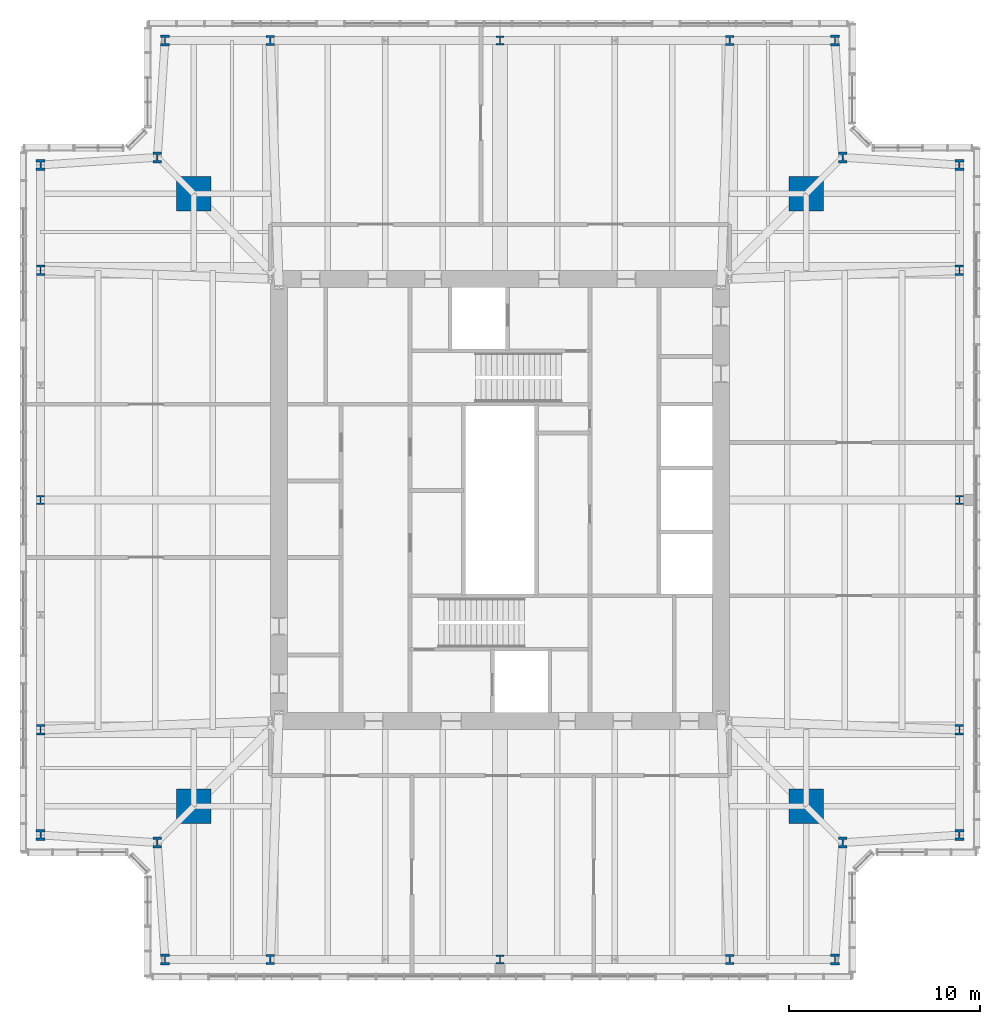
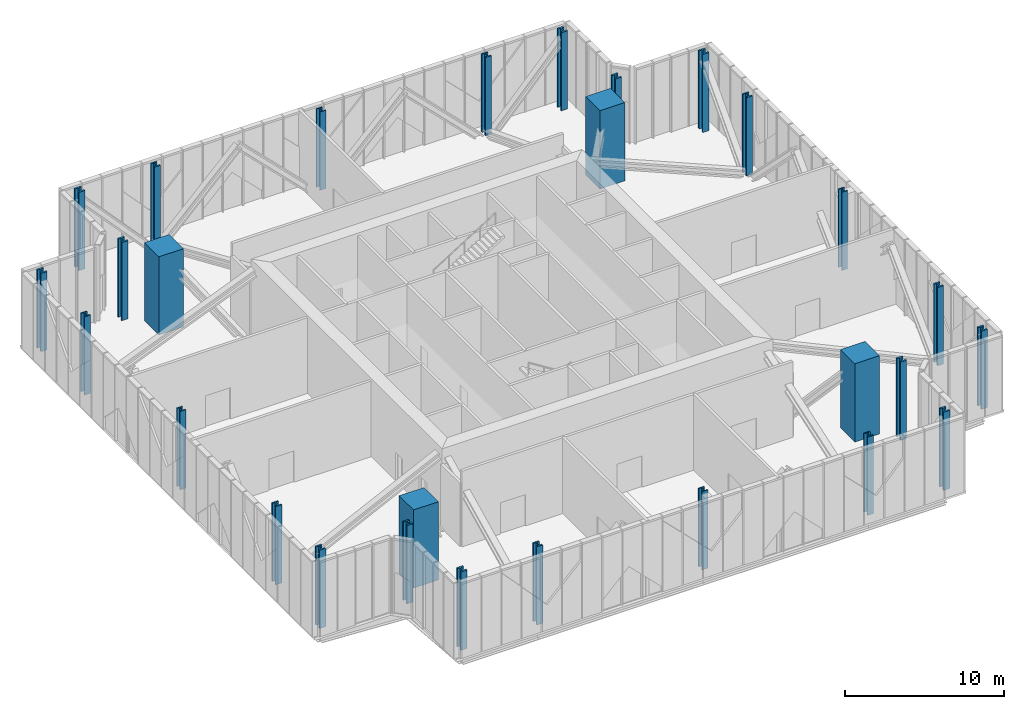
# One storey, part 1 of 18: 28 columns.
"""IFC4 building model written with IfcOpenShell, lengths in metres."""

from ifc_helpers import new_model, si_unit, direction, frame, origin, origin_2d, place, context, subcontext, project, spatial, rectangle, i_section, extrude, material, material_profile, profile_set, type_object, element, save


model = new_model("IFC4")

# Units and contexts
model_context = context("Model", 3, precision=1e-05, world=origin(), true_north=direction((0.0, 1.0)))
body_context = subcontext(model_context, "Body", "Model", "MODEL_VIEW")
ifc_project = project(units=[si_unit("LENGTHUNIT", "METRE"), si_unit("AREAUNIT", "SQUARE_METRE"), si_unit("VOLUMEUNIT", "CUBIC_METRE"), si_unit("PLANEANGLEUNIT", "RADIAN"), si_unit("MASSUNIT", "GRAM", prefix="KILO")], contexts=[model_context])

# Site, building, storey
site_placement = place(None, origin())
site = spatial("IfcSite", under=ifc_project, at=site_placement, CompositionType="ELEMENT")
building_placement = place(site_placement, origin())
building = spatial("IfcBuilding", under=site, at=building_placement, Name="Fenwick Lantern Interchange", CompositionType="ELEMENT")
storey_placement = place(building_placement, frame((0.0, 0.0, 301.800048828125)))
storey = spatial("IfcBuildingStorey", under=building, at=storey_placement, Name="L73", CompositionType="ELEMENT", Elevation=301.800048828125)

# Columns
ifc_material_1 = material(Name="Concrete f'c 70 MPa", Category="concrete")
ifc_material_profile_1 = material_profile(ifc_material_1, rectangle(XDim=1.800048828125, YDim=1.800048828125, at=origin_2d()), Name="RC1800X1800")
ifc_profile_set_1 = profile_set([ifc_material_profile_1], Name="Concrete f'c 70 MPa")
column_type_1 = type_object("IfcColumnType", Name="MEGA COLUMN RC1800X1800", PredefinedType="COLUMN", material=ifc_profile_set_1)
for number, where, z_axis, x_axis, name in (
    (1, (9.0, 9.0, 0.0), (0.0, 0.0, 1.0), (1.0, 0.0, 0.0), "L73/M1"),
    (2, (41.0, 9.0, 0.0), (0.0, 0.0, 1.0), (1.0, 0.0, 0.0), "L73/M2"),
    (3, (41.0, 41.0, 0.0), (0.0, 0.0, 1.0), (1.0, 0.0, 0.0), "L73/M3"),
    (4, (9.0, 41.0, 0.0), (0.0, 0.0, 1.0), (1.0, 0.0, 0.0), "L73/M4"),
):
    element("IfcColumn", number, at=place(storey_placement, frame(where, z_axis=z_axis, x_axis=x_axis)), inside=storey, type_object=column_type_1, Name=name, PredefinedType="COLUMN", context=body_context, shape_type="SweptSolid", body=[
        extrude(rectangle(XDim=1.800048828125, YDim=1.800048828125, at=origin_2d()), origin(), (0.0, 0.0, 1.0), 6.0),
    ])
ifc_material_2 = material(Name="Steel ASTM A992 Grade 50", Category="steel")
ifc_material_profile_2 = material_profile(ifc_material_2, i_section(OverallWidth=0.424072265625, OverallDepth=0.47509765625, WebThickness=0.0478515625, FlangeThickness=0.0771484375, at=origin_2d()), Name="W14X426")
ifc_profile_set_2 = profile_set([ifc_material_profile_2], Name="Steel ASTM A992 Grade 50")
column_type_2 = type_object("IfcColumnType", Name="PERIMETER COLUMN W14X426", PredefinedType="COLUMN", material=ifc_profile_set_2)
for number, where, z_axis, x_axis, name in (
    (5, (25.0, 1.0, 0.0), (0.0, 0.0, 1.0), (1.0, 0.0, 0.0), "L73/CS3"),
    (6, (49.0, 25.0, 0.0), (0.0, 0.0, 1.0), (1.0, 0.0, 0.0), "L73/CE3"),
    (7, (25.0, 49.0, 0.0), (0.0, 0.0, 1.0), (1.0, 0.0, 0.0), "L73/CN3"),
    (8, (1.0, 25.0, 0.0), (0.0, 0.0, 1.0), (1.0, 0.0, 0.0), "L73/CW3"),
):
    element("IfcColumn", number, at=place(storey_placement, frame(where, z_axis=z_axis, x_axis=x_axis)), inside=storey, type_object=column_type_2, Name=name, PredefinedType="COLUMN", context=body_context, shape_type="SweptSolid", body=[
        extrude(i_section(OverallWidth=0.424072265625, OverallDepth=0.47509765625, WebThickness=0.0478515625, FlangeThickness=0.0771484375, at=origin_2d()), origin(), (0.0, 0.0, 1.0), 6.0),
    ])
ifc_material_profile_3 = material_profile(ifc_material_2, i_section(OverallWidth=0.44189453125, OverallDepth=0.53076171875, WebThickness=0.06591796875, FlangeThickness=0.105712890625, at=origin_2d()), Name="W14X605")
ifc_profile_set_3 = profile_set([ifc_material_profile_3], Name="Steel ASTM A992 Grade 50")
column_type_3 = type_object("IfcColumnType", Name="PERIMETER COLUMN W14X605", PredefinedType="COLUMN", material=ifc_profile_set_3)
for number, where, z_axis, x_axis, name in (
    (9, (13.0, 1.0, 0.0), (0.0, 0.0, 1.0), (1.0, 0.0, 0.0), "L73/CS2"),
    (10, (37.0, 1.0, 0.0), (0.0, 0.0, 1.0), (1.0, 0.0, 0.0), "L73/CS4"),
    (11, (49.0, 13.0, 0.0), (0.0, 0.0, 1.0), (1.0, 0.0, 0.0), "L73/CE2"),
    (12, (49.0, 37.0, 0.0), (0.0, 0.0, 1.0), (1.0, 0.0, 0.0), "L73/CE4"),
    (13, (37.0, 49.0, 0.0), (0.0, 0.0, 1.0), (1.0, 0.0, 0.0), "L73/CN2"),
    (14, (13.0, 49.0, 0.0), (0.0, 0.0, 1.0), (1.0, 0.0, 0.0), "L73/CN4"),
    (15, (1.0, 37.0, 0.0), (0.0, 0.0, 1.0), (1.0, 0.0, 0.0), "L73/CW2"),
    (16, (1.0, 13.0, 0.0), (0.0, 0.0, 1.0), (1.0, 0.0, 0.0), "L73/CW4"),
):
    element("IfcColumn", number, at=place(storey_placement, frame(where, z_axis=z_axis, x_axis=x_axis)), inside=storey, type_object=column_type_3, Name=name, PredefinedType="COLUMN", context=body_context, shape_type="SweptSolid", body=[
        extrude(i_section(OverallWidth=0.44189453125, OverallDepth=0.53076171875, WebThickness=0.06591796875, FlangeThickness=0.105712890625, at=origin_2d()), origin(), (0.0, 0.0, 1.0), 6.0),
    ])
ifc_material_profile_4 = material_profile(ifc_material_2, i_section(OverallWidth=0.45458984375, OverallDepth=0.56884765625, WebThickness=0.077880859375, FlangeThickness=0.124755859375, at=origin_2d()), Name="W14X730")
ifc_profile_set_4 = profile_set([ifc_material_profile_4], Name="Steel ASTM A992 Grade 50")
column_type_4 = type_object("IfcColumnType", Name="PERIMETER COLUMN W14X730", PredefinedType="COLUMN", material=ifc_profile_set_4)
for number, where, z_axis, x_axis, name in (
    (17, (7.5, 1.0, 0.0), (0.0, 0.0, 1.0), (1.0, 0.0, 0.0), "L73/CS1"),
    (18, (42.5, 1.0, 0.0), (0.0, 0.0, 1.0), (1.0, 0.0, 0.0), "L73/CS5"),
    (19, (42.89990234375, 7.10009765625, 0.0), (0.0, 0.0, 1.0), (1.0, 0.0, 0.0), "L73/CSR"),
    (20, (49.0, 7.5, 0.0), (0.0, 0.0, 1.0), (1.0, 0.0, 0.0), "L73/CE1"),
    (21, (49.0, 42.5, 0.0), (0.0, 0.0, 1.0), (1.0, 0.0, 0.0), "L73/CE5"),
    (22, (42.89990234375, 42.89990234375, 0.0), (0.0, 0.0, 1.0), (1.0, 0.0, 0.0), "L73/CER"),
    (23, (42.5, 49.0, 0.0), (0.0, 0.0, 1.0), (1.0, 0.0, 0.0), "L73/CN1"),
    (24, (7.5, 49.0, 0.0), (0.0, 0.0, 1.0), (1.0, 0.0, 0.0), "L73/CN5"),
    (25, (7.10009765625, 42.89990234375, 0.0), (0.0, 0.0, 1.0), (1.0, 0.0, 0.0), "L73/CNR"),
    (26, (1.0, 42.5, 0.0), (0.0, 0.0, 1.0), (1.0, 0.0, 0.0), "L73/CW1"),
    (27, (1.0, 7.5, 0.0), (0.0, 0.0, 1.0), (1.0, 0.0, 0.0), "L73/CW5"),
    (28, (7.10009765625, 7.10009765625, 0.0), (0.0, 0.0, 1.0), (1.0, 0.0, 0.0), "L73/CWR"),
):
    element("IfcColumn", number, at=place(storey_placement, frame(where, z_axis=z_axis, x_axis=x_axis)), inside=storey, type_object=column_type_4, Name=name, PredefinedType="COLUMN", context=body_context, shape_type="SweptSolid", body=[
        extrude(i_section(OverallWidth=0.45458984375, OverallDepth=0.56884765625, WebThickness=0.077880859375, FlangeThickness=0.124755859375, at=origin_2d()), origin(), (0.0, 0.0, 1.0), 6.0),
    ])

save(model, "model.ifc")
